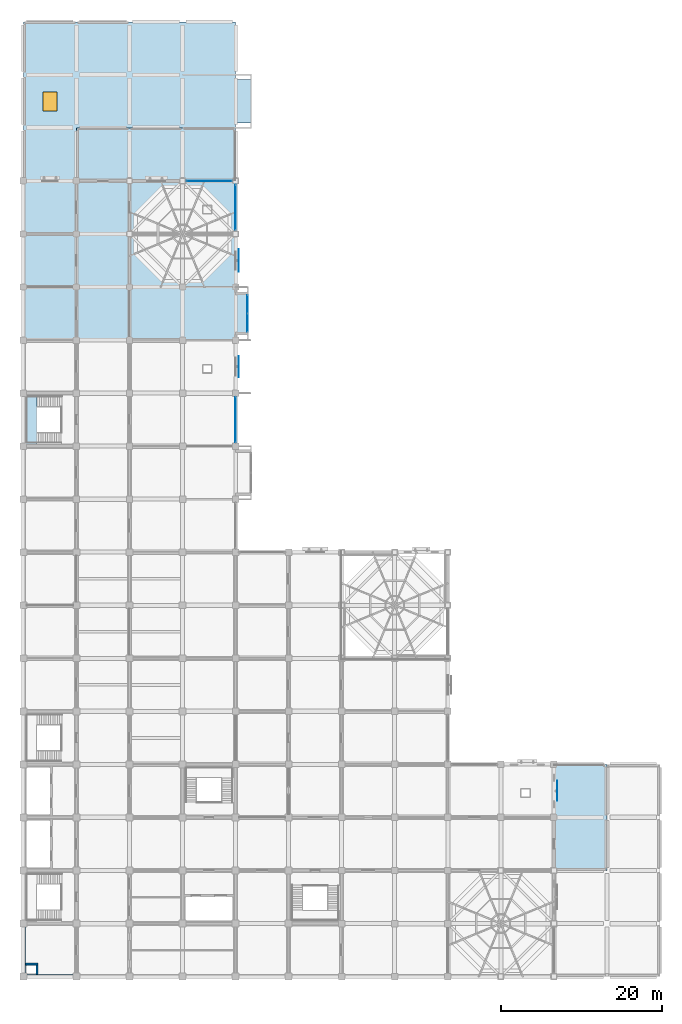
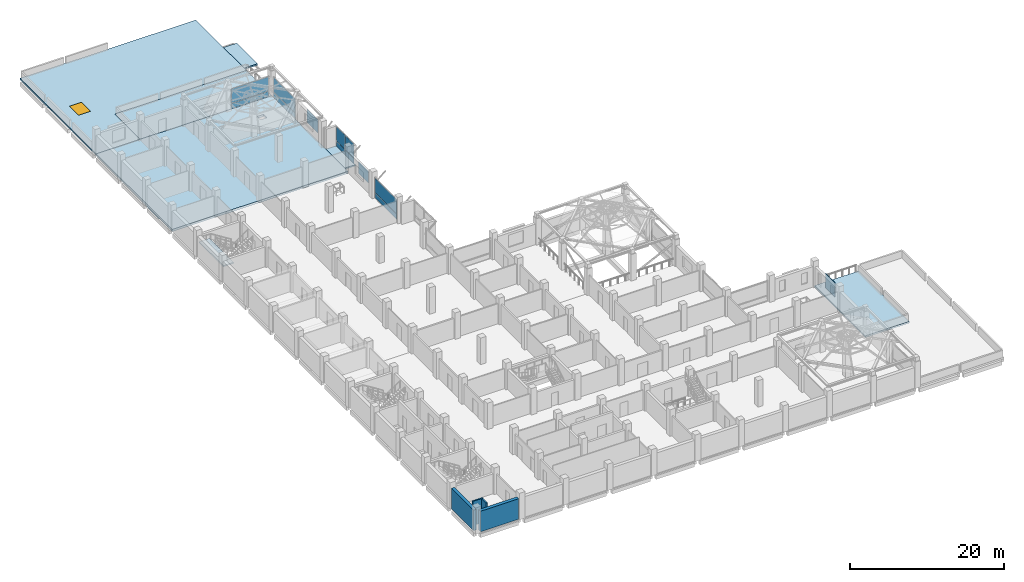
# One storey, part 13 of 25: 13 plates, 7 slabs, 4 walls, 1 window, 1 opening, 5 elements without a shape of their own.
"""IFC4 building model written with IfcOpenShell, lengths in metres."""

from ifc_helpers import new_model, si_unit, direction, frame, frame_2d, origin, origin_2d, place, context, subcontext, project, spatial, polyline, rectangle, outline, extrude, material, layer, layer_set, type_object, element, fill, aggregate, save


model = new_model("IFC4")

# Units and contexts
model_context = context("Model", 3, precision=1e-05, world=origin(), true_north=direction((0.0, 1.0)))
body_context = subcontext(model_context, "Body", "Model", "MODEL_VIEW")
ifc_project = project(units=[si_unit("LENGTHUNIT", "METRE"), si_unit("AREAUNIT", "SQUARE_METRE"), si_unit("VOLUMEUNIT", "CUBIC_METRE"), si_unit("PLANEANGLEUNIT", "RADIAN"), si_unit("MASSUNIT", "GRAM", prefix="KILO")], contexts=[model_context])

# Site, building, storey
site_placement = place(None, origin())
site = spatial("IfcSite", under=ifc_project, at=site_placement, CompositionType="ELEMENT")
building_placement = place(site_placement, origin())
building = spatial("IfcBuilding", under=site, at=building_placement, Name="Rusizi Kubbe Research Institute", CompositionType="ELEMENT")
storey_placement = place(building_placement, frame((0.0, 0.0, 14.39990234375)))
storey = spatial("IfcBuildingStorey", under=building, at=storey_placement, Name="L03", CompositionType="ELEMENT", Elevation=14.39990234375)

# Curtain wall, plate
ifc_material_1 = material(Name="Thermally Broken Aluminium and Low-E Glazing", Category="aluminium")
curtain_wall_type_1 = type_object("IfcCurtainWallType", Name="CW-06", PredefinedType="NOTDEFINED", material=ifc_material_1)
curtain_wall_1_placement = place(storey_placement, origin())
curtain_wall_1 = element("IfcCurtainWall", 1, at=curtain_wall_1_placement, inside=storey, type_object=curtain_wall_type_1, Name="Unitised Facade Curtain Wall CW-L03-V-04-10", PredefinedType="NOTDEFINED")
ifc_material_2 = material(Name="Double Low-E Solar Control Insulated Glass", Category="glass")
ifc_layer_1 = layer(ifc_material_2, 0.0400390625)
ifc_layer_set_1 = layer_set([ifc_layer_1], Name="Double Low-E Solar Control Insulated Glass")
plate_type_1 = type_object("IfcPlateType", Name="GL-05", PredefinedType="CURTAIN_PANEL", material=ifc_layer_set_1)
plate_1_placement = place(storey_placement, frame((26.39990234375, 69.300048828125, 0.93017578125), z_axis=(0.0, 0.0, 1.0), x_axis=(0.0, 1.0, 0.0)))
plate_1 = element("IfcPlate", 2, at=plate_1_placement, type_object=plate_type_1, Name="CW-06 panel 1.2", PredefinedType="CURTAIN_PANEL", context=body_context, shape_type="SweptSolid", body=[
    extrude(rectangle(XDim=5.6201171875, YDim=0.0400390625, at=origin_2d()), origin(), (0.0, 0.0, 1.0), 2.27001953125),
])

# Curtain wall, plates
ifc_material_3 = material(Name="Thermally Broken Aluminium and Low-E Glazing", Category="aluminium")
curtain_wall_type_2 = type_object("IfcCurtainWallType", Name="CW-01", PredefinedType="NOTDEFINED", material=ifc_material_3)
curtain_wall_2_placement = place(storey_placement, origin())
curtain_wall_2 = element("IfcCurtainWall", 3, at=curtain_wall_2_placement, inside=storey, type_object=curtain_wall_type_2, Name="Cumba Glazed Curtain Wall CW-CUMBA-L03-037", PredefinedType="NOTDEFINED")
ifc_material_4 = material(Name="Double Low-E Solar Control Insulated Glass", Category="glass")
ifc_layer_2 = layer(ifc_material_4, 0.0439453125)
ifc_layer_set_2 = layer_set([ifc_layer_2], Name="Double Low-E Solar Control Insulated Glass")
plate_type_2 = type_object("IfcPlateType", Name="GL-06", PredefinedType="CURTAIN_PANEL", material=ifc_layer_set_2)
plate_2_placement = place(storey_placement, frame((27.89990234375, 81.356201171875, 0.93017578125), z_axis=(0.0, 0.0, 1.0), x_axis=(0.0, 1.0, 0.0)))
plate_2 = element("IfcPlate", 4, at=plate_2_placement, type_object=plate_type_2, Name="CW-01 panel 1.2", PredefinedType="CURTAIN_PANEL", context=body_context, shape_type="SweptSolid", body=[
    extrude(rectangle(XDim=2.2275390625, YDim=0.0439453125, at=origin_2d()), origin(), (0.0, 0.0, 1.0), 2.27001953125),
])
plate_3_placement = place(storey_placement, frame((27.89990234375, 83.643798828125, 0.93017578125), z_axis=(0.0, 0.0, 1.0), x_axis=(0.0, 1.0, 0.0)))
plate_3 = element("IfcPlate", 5, at=plate_3_placement, type_object=plate_type_2, Name="CW-01 panel 2.2", PredefinedType="CURTAIN_PANEL", context=body_context, shape_type="SweptSolid", body=[
    extrude(rectangle(XDim=2.2275390625, YDim=0.0439453125, at=origin_2d()), origin(), (0.0, 0.0, 1.0), 2.27001953125),
])

# Curtain wall, plate
curtain_wall_3_placement = place(storey_placement, origin())
curtain_wall_3 = element("IfcCurtainWall", 6, at=curtain_wall_3_placement, inside=storey, type_object=curtain_wall_type_1, Name="Unitised Facade Curtain Wall CW-L03-H-03-15", PredefinedType="NOTDEFINED")
ifc_material_5 = material(Name="Double Low-E Solar Control Insulated Glass", Category="glass")
ifc_layer_3 = layer(ifc_material_5, 0.048095703125)
ifc_layer_set_3 = layer_set([ifc_layer_3], Name="Double Low-E Solar Control Insulated Glass")
plate_type_3 = type_object("IfcPlateType", Name="GL-07", PredefinedType="CURTAIN_PANEL", material=ifc_layer_set_3)
plate_4_placement = place(storey_placement, frame((23.10009765625, 99.0, 0.9326171875), z_axis=(0.0, 0.0, 1.0), x_axis=(1.0, 0.0, 0.0)))
plate_4 = element("IfcPlate", 7, at=plate_4_placement, type_object=plate_type_3, Name="CW-06 panel 1.2", PredefinedType="CURTAIN_PANEL", context=body_context, shape_type="SweptSolid", body=[
    extrude(rectangle(XDim=5.610107421875, YDim=0.048095703125, at=origin_2d()), origin(), (0.0, 0.0, 1.0), 2.262451171875),
])

curtain_wall_4_placement = place(storey_placement, origin())
curtain_wall_4 = element("IfcCurtainWall", 8, at=curtain_wall_4_placement, inside=storey, type_object=curtain_wall_type_1, Name="Unitised Facade Curtain Wall CW-L03-V-04-14", PredefinedType="NOTDEFINED")
ifc_material_6 = material(Name="Double Low-E Solar Control Insulated Glass", Category="glass")
ifc_layer_4 = layer(ifc_material_6, 0.052001953125)
ifc_layer_set_4 = layer_set([ifc_layer_4], Name="Double Low-E Solar Control Insulated Glass")
plate_type_4 = type_object("IfcPlateType", Name="GL-08", PredefinedType="CURTAIN_PANEL", material=ifc_layer_set_4)
plate_5_placement = place(storey_placement, frame((26.39990234375, 95.699951171875, 0.93505859375), z_axis=(0.0, 0.0, 1.0), x_axis=(0.0, 1.0, 0.0)))
plate_5 = element("IfcPlate", 9, at=plate_5_placement, type_object=plate_type_4, Name="CW-06 panel 1.2", PredefinedType="CURTAIN_PANEL", context=body_context, shape_type="SweptSolid", body=[
    extrude(rectangle(XDim=5.60009765625, YDim=0.052001953125, at=origin_2d()), origin(), (0.0, 0.0, 1.0), 2.2548828125),
])

# Plates
ifc_material_7 = material(Name="Perforated Architectural Bronze Screen", Category="steel")
ifc_layer_5 = layer(ifc_material_7, 0.02001953125)
ifc_layer_set_5 = layer_set([ifc_layer_5], Name="Perforated Architectural Bronze Screen")
plate_type_5 = type_object("IfcPlateType", Name="MS-02", PredefinedType="SHEET", material=ifc_layer_set_5)
plate_6_placement = place(storey_placement, frame((26.8125, 75.89990234375, 0.76025390625), z_axis=(0.0, 0.0, 1.0), x_axis=(0.0, 1.0, 0.0)))
element("IfcPlate", 10, at=plate_6_placement, inside=storey, type_object=plate_type_5, Name="Mashrabiya Perforated Screen MS-02-037", PredefinedType="SHEET", context=body_context, shape_type="SweptSolid", body=[
    extrude(rectangle(XDim=2.60009765625, YDim=0.02001953125, at=origin_2d()), origin(), (0.0, 0.0, 1.0), 1.89990234375),
])
ifc_material_8 = material(Name="Perforated Architectural Bronze Screen", Category="steel")
ifc_layer_6 = layer(ifc_material_8, 0.02197265625)
ifc_layer_set_6 = layer_set([ifc_layer_6], Name="Perforated Architectural Bronze Screen")
plate_type_6 = type_object("IfcPlateType", Name="MS-03", PredefinedType="SHEET", material=ifc_layer_set_6)
plate_7_placement = place(storey_placement, frame((26.797607421875, 89.10009765625, 0.760009765625), z_axis=(0.0, 0.0, 1.0), x_axis=(0.0, 1.0, 0.0)))
element("IfcPlate", 11, at=plate_7_placement, inside=storey, type_object=plate_type_6, Name="Mashrabiya Perforated Screen MS-03-038", PredefinedType="SHEET", context=body_context, shape_type="SweptSolid", body=[
    extrude(rectangle(XDim=2.800048828125, YDim=0.02197265625, at=origin_2d()), origin(), (0.0, 0.0, 1.0), 2.1201171875),
])
ifc_material_9 = material(Name="Perforated Architectural Bronze Screen", Category="steel")
ifc_layer_7 = layer(ifc_material_9, 0.01904296875)
ifc_layer_set_7 = layer_set([ifc_layer_7], Name="Perforated Architectural Bronze Screen")
plate_type_7 = type_object("IfcPlateType", Name="MS-06", PredefinedType="SHEET", material=ifc_layer_set_7)
plate_8_placement = place(storey_placement, frame((66.429931640625, 23.10009765625, 0.76025390625), z_axis=(0.0, 0.0, 1.0), x_axis=(0.0, 1.0, 0.0)))
element("IfcPlate", 12, at=plate_8_placement, inside=storey, type_object=plate_type_7, Name="Mashrabiya Perforated Screen MS-06-041", PredefinedType="SHEET", context=body_context, shape_type="SweptSolid", body=[
    extrude(rectangle(XDim=2.5, YDim=0.01904296875, at=origin_2d()), origin(), (0.0, 0.0, 1.0), 2.340087890625),
])

# Slabs
ifc_material_10 = material(Name="Concrete C40/50", Category="concrete")
ifc_layer_8 = layer(ifc_material_10, 0.205078125)
ifc_layer_set_8 = layer_set([ifc_layer_8], Name="Concrete C40/50")
slab_type_1 = type_object("IfcSlabType", Name="SL-C205", PredefinedType="FLOOR", material=ifc_layer_set_8)
slab_1_placement = place(storey_placement, frame((0.0, 0.0, -0.204833984375)))
element("IfcSlab", 13, at=slab_1_placement, inside=storey, type_object=slab_type_1, Name="Oriel Bay Slab L03", PredefinedType="FLOOR", context=body_context, shape_type="SweptSolid", body=[
    extrude(outline(polyline([(28.0, 80.0), (28.0, 85.0), (26.39990234375, 85.0), (26.39990234375, 80.0), (28.0, 80.0)])), origin(), (0.0, 0.0, 1.0), 0.204833984375),
])
ifc_material_11 = material(Name="Concrete C40/50", Category="concrete")
ifc_layer_9 = layer(ifc_material_11, 0.35009765625)
ifc_layer_set_9 = layer_set([ifc_layer_9], Name="Concrete C40/50")
slab_type_2 = type_object("IfcSlabType", Name="SL-F350", PredefinedType="FLOOR", material=ifc_layer_set_9)
slab_2_placement = place(storey_placement, frame((0.0, 0.0, -0.349853515625)))
element("IfcSlab", 14, at=slab_2_placement, inside=storey, type_object=slab_type_2, Name="Structural Slab L03 NORTHB", PredefinedType="FLOOR", context=body_context, shape_type="SweptSolid", body=[
    extrude(outline(polyline([(0.0, 99.0), (6.60009765625, 99.0), (13.199951171875, 99.0), (19.800048828125, 99.0), (26.39990234375, 99.0), (26.39990234375, 92.39990234375), (26.39990234375, 85.800048828125), (26.39990234375, 79.199951171875), (19.800048828125, 79.199951171875), (13.199951171875, 79.199951171875), (6.60009765625, 79.199951171875), (0.0, 79.199951171875), (0.0, 85.800048828125), (0.0, 92.39990234375), (0.0, 99.0)]), holes=[polyline([(23.35009765625, 95.85009765625), (22.39990234375, 95.85009765625), (22.39990234375, 95.0), (23.35009765625, 95.0), (23.35009765625, 95.85009765625)])]), origin(), (0.0, 0.0, 1.0), 0.349853515625),
])

# Stair, slab
ifc_material_12 = material(Name="Concrete C40/50", Category="concrete")
stair_type = type_object("IfcStairType", Name="ST-H420A", PredefinedType="HALF_TURN_STAIR", material=ifc_material_12)
stair_placement = place(storey_placement, origin())
stair = element("IfcStair", 15, at=stair_placement, inside=storey, type_object=stair_type, Name="Protected Exit Stair ST5 (L03)", PredefinedType="HALF_TURN_STAIR")
ifc_material_13 = material(Name="Concrete C40/50", Category="concrete")
ifc_layer_10 = layer(ifc_material_13, 0.195068359375)
ifc_layer_set_10 = layer_set([ifc_layer_10], Name="Concrete C40/50")
slab_type_3 = type_object("IfcSlabType", Name="SL-L195", PredefinedType="LANDING", material=ifc_layer_set_10)
slab_3_placement = place(storey_placement, frame((0.0, 0.0, 1.905029296875)))
slab_3 = element("IfcSlab", 16, at=slab_3_placement, type_object=slab_type_3, Name="ST5 landing 1", PredefinedType="LANDING", context=body_context, shape_type="SweptSolid", body=[
    extrude(outline(polyline([(1.7060546875, 72.4599609375), (0.139892578125, 72.4599609375), (0.139892578125, 66.139892578125), (1.7060546875, 66.139892578125), (1.7060546875, 72.4599609375)])), origin(), (0.0, 0.0, 1.0), 0.195068359375),
])
aggregate(stair, [slab_3])

# Slab, opening, window
ifc_material_14 = material(Name="Concrete C40/50", Category="concrete")
ifc_layer_11 = layer(ifc_material_14, 0.235107421875)
ifc_layer_set_11 = layer_set([ifc_layer_11], Name="Concrete C40/50")
slab_type_4 = type_object("IfcSlabType", Name="SL-R235", PredefinedType="ROOF", material=ifc_layer_set_11)
slab_4_placement = place(storey_placement, frame((0.0, 0.0, -0.23486328125)))
slab_4 = element("IfcSlab", 17, at=slab_4_placement, inside=storey, type_object=slab_type_4, Name="Stepback Maintenance Roof Slab L03-1", PredefinedType="ROOF", context=body_context, shape_type="SweptSolid", body=[
    extrude(outline(polyline([(0.0, 112.199951171875), (0.0, 118.800048828125), (6.60009765625, 118.800048828125), (13.199951171875, 118.800048828125), (19.800048828125, 118.800048828125), (26.39990234375, 118.800048828125), (26.39990234375, 112.199951171875), (26.39990234375, 105.60009765625), (19.800048828125, 105.60009765625), (13.199951171875, 105.60009765625), (6.60009765625, 105.60009765625), (6.60009765625, 99.0048828125), (0.0, 99.0048828125), (0.0, 105.60009765625), (0.0, 112.199951171875)])), origin(), (0.0, 0.0, 1.0), 0.23486328125),
])
opening_placement = place(slab_4_placement, frame((3.300048828125, 108.89990234375, -0.010009765625)))
opening = element("IfcOpeningElement", 18, at=opening_placement, cuts=slab_4, Name="Opening SK-02", PredefinedType="OPENING", context=body_context, shape_type="SweptSolid", body=[
    extrude(rectangle(XDim=1.780029296875, YDim=2.360107421875, at=origin_2d()), origin(), (0.0, 0.0, 1.0), 0.2548828125),
])
ifc_material_15 = material(Name="Laminated Insulated Roof Glazing", Category="glass")
window_type = type_object("IfcWindowType", Name="SK-02", PartitioningType="SINGLE_PANEL", PredefinedType="SKYLIGHT", material=ifc_material_15)
window_placement = place(slab_4_placement, frame((3.300048828125, 108.89990234375, 0.184814453125)))
window = element("IfcWindow", 19, at=window_placement, inside=storey, type_object=window_type, Name="Roof Skylight SK-02-06", OverallHeight=2.360107421875, OverallWidth=1.780029296875, PartitioningType="SINGLE_PANEL", PredefinedType="SKYLIGHT", context=body_context, shape_type="SweptSolid", body=[
    extrude(rectangle(XDim=1.780029296875, YDim=2.360107421875, at=origin_2d()), origin(), (0.0, 0.0, 1.0), 0.050048828125),
])
fill(opening, window)

# Slabs
slab_5_placement = place(storey_placement, frame((0.0, 0.0, -0.23486328125)))
element("IfcSlab", 20, at=slab_5_placement, inside=storey, type_object=slab_type_4, Name="Cumba Oriel Roof Cap L02 (4,16)", PredefinedType="ROOF", context=body_context, shape_type="SweptSolid", body=[
    extrude(outline(polyline([(26.39990234375, 106.199951171875), (28.39990234375, 106.199951171875), (28.39990234375, 111.60009765625), (26.39990234375, 111.60009765625), (26.39990234375, 106.199951171875)])), origin(), (0.0, 0.0, 1.0), 0.23486328125),
])
ifc_material_16 = material(Name="Concrete C40/50", Category="concrete")
ifc_layer_12 = layer(ifc_material_16, 0.264892578125)
ifc_layer_set_12 = layer_set([ifc_layer_12], Name="Concrete C40/50")
slab_type_5 = type_object("IfcSlabType", Name="SL-T265", PredefinedType="FLOOR", material=ifc_layer_set_12)
slab_6_placement = place(storey_placement, frame((0.0, 0.0, -0.264892578125)))
element("IfcSlab", 21, at=slab_6_placement, inside=storey, type_object=slab_type_5, Name="Walkable Roof Terrace Slab L03-1", PredefinedType="FLOOR", context=body_context, shape_type="SweptSolid", body=[
    extrude(outline(polyline([(72.60009765625, 26.39990234375), (72.60009765625, 19.800048828125), (72.60009765625, 13.199951171875), (66.0048828125, 13.199951171875), (66.0048828125, 26.39990234375), (72.60009765625, 26.39990234375)])), origin(), (0.0, 0.0, 1.0), 0.264892578125),
])
slab_7_placement = place(storey_placement, frame((0.0, 0.0, -0.264892578125)))
element("IfcSlab", 22, at=slab_7_placement, inside=storey, type_object=slab_type_5, Name="Walkable Roof Terrace Slab L03-2", PredefinedType="FLOOR", context=body_context, shape_type="SweptSolid", body=[
    extrude(outline(polyline([(13.199951171875, 105.60009765625), (19.800048828125, 105.60009765625), (26.39990234375, 105.60009765625), (26.39990234375, 99.0048828125), (6.60009765625, 99.0048828125), (6.60009765625, 105.60009765625), (13.199951171875, 105.60009765625)])), origin(), (0.0, 0.0, 1.0), 0.264892578125),
])

# Plate
ifc_material_17 = material(Name="Ceramic-Frit Insulated Spandrel Panel", Category="glass")
ifc_layer_13 = layer(ifc_material_17, 0.05810546875)
ifc_layer_set_13 = layer_set([ifc_layer_13], Name="Ceramic-Frit Insulated Spandrel Panel")
plate_type_8 = type_object("IfcPlateType", Name="SP-01", PredefinedType="CURTAIN_PANEL", material=ifc_layer_set_13)
plate_9_placement = place(storey_placement, frame((26.39990234375, 69.300048828125, 0.06005859375), z_axis=(0.0, 0.0, 1.0), x_axis=(0.0, 1.0, 0.0)))
plate_9 = element("IfcPlate", 23, at=plate_9_placement, type_object=plate_type_8, Name="CW-06 panel 1.1", PredefinedType="CURTAIN_PANEL", context=body_context, shape_type="SweptSolid", body=[
    extrude(rectangle(XDim=5.6201171875, YDim=0.05810546875, at=origin_2d()), origin(), (0.0, 0.0, 1.0), 0.81005859375),
])

aggregate(curtain_wall_1, [plate_9, plate_1])

ifc_material_18 = material(Name="Ceramic-Frit Insulated Spandrel Panel", Category="glass")
ifc_layer_14 = layer(ifc_material_18, 0.06396484375)
ifc_layer_set_14 = layer_set([ifc_layer_14], Name="Ceramic-Frit Insulated Spandrel Panel")
plate_type_9 = type_object("IfcPlateType", Name="SP-02", PredefinedType="CURTAIN_PANEL", material=ifc_layer_set_14)
plate_10_placement = place(storey_placement, frame((27.89990234375, 81.356201171875, 0.06005859375), z_axis=(0.0, 0.0, 1.0), x_axis=(0.0, 1.0, 0.0)))
plate_10 = element("IfcPlate", 24, at=plate_10_placement, type_object=plate_type_9, Name="CW-01 panel 1.1", PredefinedType="CURTAIN_PANEL", context=body_context, shape_type="SweptSolid", body=[
    extrude(rectangle(XDim=2.2275390625, YDim=0.06396484375, at=origin_2d()), origin(), (0.0, 0.0, 1.0), 0.81005859375),
])

plate_11_placement = place(storey_placement, frame((27.89990234375, 83.643798828125, 0.06005859375), z_axis=(0.0, 0.0, 1.0), x_axis=(0.0, 1.0, 0.0)))
plate_11 = element("IfcPlate", 25, at=plate_11_placement, type_object=plate_type_9, Name="CW-01 panel 2.1", PredefinedType="CURTAIN_PANEL", context=body_context, shape_type="SweptSolid", body=[
    extrude(rectangle(XDim=2.2275390625, YDim=0.06396484375, at=origin_2d()), origin(), (0.0, 0.0, 1.0), 0.81005859375),
])

aggregate(curtain_wall_2, [plate_10, plate_2, plate_11, plate_3])

ifc_material_19 = material(Name="Ceramic-Frit Insulated Spandrel Panel", Category="glass")
ifc_layer_15 = layer(ifc_material_19, 0.070068359375)
ifc_layer_set_15 = layer_set([ifc_layer_15], Name="Ceramic-Frit Insulated Spandrel Panel")
plate_type_10 = type_object("IfcPlateType", Name="SP-03", PredefinedType="CURTAIN_PANEL", material=ifc_layer_set_15)
plate_12_placement = place(storey_placement, frame((23.10009765625, 99.0, 0.06494140625), z_axis=(0.0, 0.0, 1.0), x_axis=(1.0, 0.0, 0.0)))
plate_12 = element("IfcPlate", 26, at=plate_12_placement, type_object=plate_type_10, Name="CW-06 panel 1.1", PredefinedType="CURTAIN_PANEL", context=body_context, shape_type="SweptSolid", body=[
    extrude(rectangle(XDim=5.610107421875, YDim=0.070068359375, at=origin_2d()), origin(), (0.0, 0.0, 1.0), 0.802490234375),
])

aggregate(curtain_wall_3, [plate_12, plate_4])

ifc_material_20 = material(Name="Ceramic-Frit Insulated Spandrel Panel", Category="glass")
ifc_layer_16 = layer(ifc_material_20, 0.075927734375)
ifc_layer_set_16 = layer_set([ifc_layer_16], Name="Ceramic-Frit Insulated Spandrel Panel")
plate_type_11 = type_object("IfcPlateType", Name="SP-04", PredefinedType="CURTAIN_PANEL", material=ifc_layer_set_16)
plate_13_placement = place(storey_placement, frame((26.39990234375, 95.699951171875, 0.070068359375), z_axis=(0.0, 0.0, 1.0), x_axis=(0.0, 1.0, 0.0)))
plate_13 = element("IfcPlate", 27, at=plate_13_placement, type_object=plate_type_11, Name="CW-06 panel 1.1", PredefinedType="CURTAIN_PANEL", context=body_context, shape_type="SweptSolid", body=[
    extrude(rectangle(XDim=5.60009765625, YDim=0.075927734375, at=origin_2d()), origin(), (0.0, 0.0, 1.0), 0.794921875),
])

aggregate(curtain_wall_4, [plate_13, plate_5])

# Walls
ifc_material_21 = material(Name="Concrete Blockwork Fire Partition", Category="masonry")
ifc_layer_17 = layer(ifc_material_21, 0.22509765625)
ifc_layer_set_17 = layer_set([ifc_layer_17], Name="Concrete Blockwork Fire Partition")
wall_type_1 = type_object("IfcWallType", Name="IW-01", PredefinedType="PARTITIONING", material=ifc_layer_set_17)
wall_1_placement = place(storey_placement, frame((1.679931640625, 0.260009765625, 0.0), z_axis=(0.0, 0.0, 1.0), x_axis=(0.0, 1.0, 0.0)))
element("IfcWall", 28, at=wall_1_placement, inside=storey, type_object=wall_type_1, Name="Riser Shaft Wall E L03", PredefinedType="PARTITIONING", context=body_context, shape_type="SweptSolid", body=[
    extrude(rectangle(XDim=1.169921875, YDim=0.22509765625, at=frame_2d((0.5849609375, 0.0))), origin(), (0.0, 0.0, 1.0), 3.860107421875),
])
wall_2_placement = place(storey_placement, frame((0.260009765625, 1.550048828125, 0.0), z_axis=(0.0, 0.0, 1.0), x_axis=(1.0, 0.0, 0.0)))
element("IfcWall", 29, at=wall_2_placement, inside=storey, type_object=wall_type_1, Name="Riser Shaft Wall N L03", PredefinedType="PARTITIONING", context=body_context, shape_type="SweptSolid", body=[
    extrude(rectangle(XDim=1.5400390625, YDim=0.22509765625, at=frame_2d((0.77001953125, 0.0))), origin(), (0.0, 0.0, 1.0), 3.860107421875),
])
ifc_material_22 = material(Name="Concrete C40/50", Category="concrete")
ifc_layer_18 = layer(ifc_material_22, 0.47998046875)
ifc_layer_set_18 = layer_set([ifc_layer_18], Name="Concrete C40/50")
wall_type_2 = type_object("IfcWallType", Name="PW-01", PredefinedType="SOLIDWALL", material=ifc_layer_set_18)
for number, where, z_axis, x_axis, name in (
    (30, (0.425048828125, 0.0, 0.0), (0.0, 0.0, 1.0), (1.0, 0.0, 0.0), "Blind Party Wall L03 H0-0"),
    (31, (0.0, 0.425048828125, 0.0), (0.0, 0.0, 1.0), (0.0, 1.0, 0.0), "Blind Party Wall L03 V0-0"),
):
    element("IfcWall", number, at=place(storey_placement, frame(where, z_axis=z_axis, x_axis=x_axis)), inside=storey, type_object=wall_type_2, Name=name, PredefinedType="SOLIDWALL", context=body_context, shape_type="SweptSolid", body=[
        extrude(rectangle(XDim=5.75, YDim=0.47998046875, at=frame_2d((2.875, 0.0))), origin(), (0.0, 0.0, 1.0), 3.260009765625),
    ])

save(model, "model.ifc")
